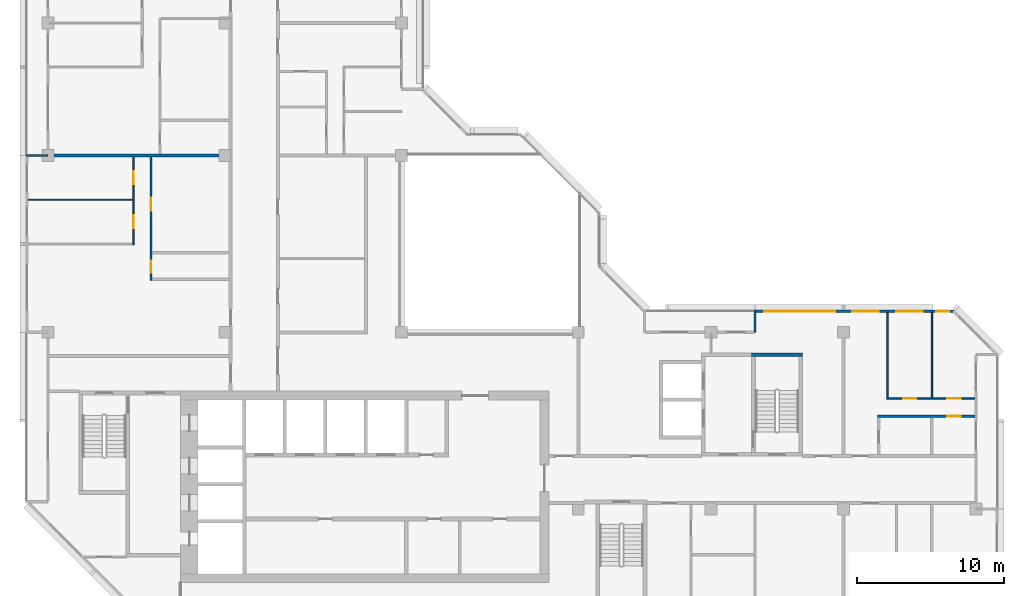
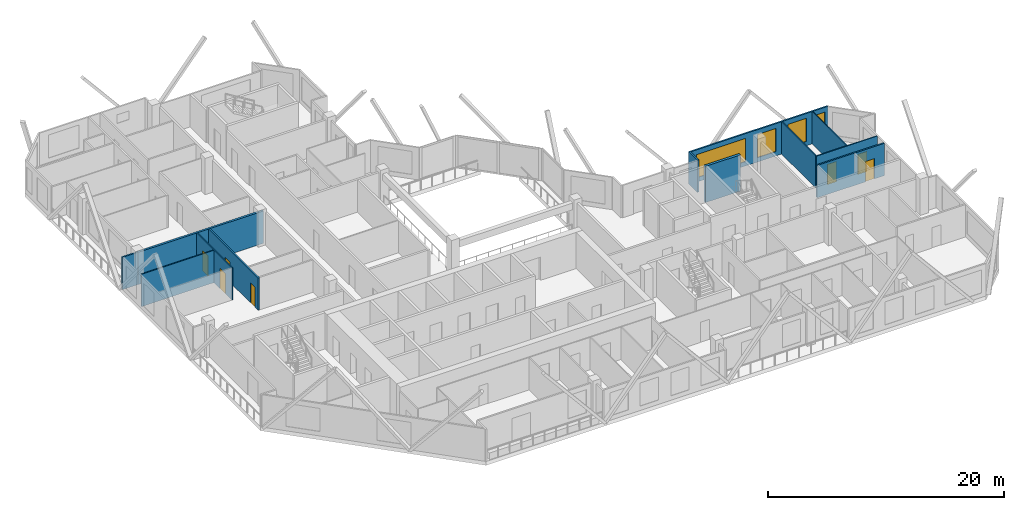
# One storey, part 8 of 13: 12 walls, 7 doors, 4 windows, 11 openings.
"""IFC4 building model written with IfcOpenShell, lengths in metres."""

from ifc_helpers import new_model, si_unit, direction, frame, frame_2d, origin, place, context, subcontext, project, spatial, rectangle, extrude, material, layer, layer_set, type_object, element, fill, save


model = new_model("IFC4")

# Units and contexts
model_context = context("Model", 3, precision=1e-05, world=origin(), true_north=direction((0.0, 1.0)))
body_context = subcontext(model_context, "Body", "Model", "MODEL_VIEW")
ifc_project = project(units=[si_unit("LENGTHUNIT", "METRE"), si_unit("AREAUNIT", "SQUARE_METRE"), si_unit("VOLUMEUNIT", "CUBIC_METRE"), si_unit("PLANEANGLEUNIT", "RADIAN"), si_unit("MASSUNIT", "GRAM", prefix="KILO")], contexts=[model_context])

# Site, building, storey
site_placement = place(None, origin())
site = spatial("IfcSite", under=ifc_project, at=site_placement, CompositionType="ELEMENT")
building_placement = place(site_placement, origin())
building = spatial("IfcBuilding", under=site, at=building_placement, Name="Chenar Terraces", CompositionType="ELEMENT")
storey_placement = place(building_placement, frame((0.0, 0.0, 280.89990234375)))
storey = spatial("IfcBuildingStorey", under=building, at=storey_placement, Name="L65", CompositionType="ELEMENT", Elevation=280.89990234375)

# Wall
ifc_material_1 = material(Name="Concrete C50/60", Category="concrete")
ifc_layer_1 = layer(ifc_material_1, 0.25)
ifc_layer_set_1 = layer_set([ifc_layer_1], Name="Concrete C50/60")
wall_type_1 = type_object("IfcWallType", Name="Core wall 250 Concrete C50/60", PredefinedType="SHEAR", material=ifc_layer_set_1)
wall_1_placement = place(storey_placement, frame((47.77490234375, 22.47509765625, 0.0), z_axis=(0.0, 0.0, 1.0), x_axis=(1.0, 0.0, 0.0)))
element("IfcWall", 1, at=wall_1_placement, inside=storey, type_object=wall_type_1, Name="Core wall ST3_N L65", PredefinedType="SHEAR", context=body_context, shape_type="SweptSolid", body=[
    extrude(rectangle(XDim=3.4501953125, YDim=0.25, at=frame_2d((1.72509765625, 0.0))), origin(), (0.0, 0.0, 1.0), 3.75),
])

# Wall, openings, windows
ifc_material_2 = material(Name="Aluminium framed glazing", Category="aluminium")
ifc_layer_2 = layer(ifc_material_2, 0.14990234375)
ifc_layer_set_2 = layer_set([ifc_layer_2], Name="Aluminium framed glazing")
wall_type_2 = type_object("IfcWallType", Name="Glazed flush facade wall 150", PredefinedType="SOLIDWALL", material=ifc_layer_set_2)
wall_2_placement = place(storey_placement, frame((61.5, 25.425048828125, 0.0), z_axis=(0.0, 0.0, 1.0), x_axis=(-1.0, 0.0, 0.0)))
wall_2 = element("IfcWall", 2, at=wall_2_placement, inside=storey, type_object=wall_type_2, Name="Glazed flush facade wall", PredefinedType="SOLIDWALL", context=body_context, shape_type="SweptSolid", body=[
    extrude(rectangle(XDim=13.425048828125, YDim=0.14990234375, at=frame_2d((6.71240234375, 0.0))), origin(), (0.0, 0.0, 1.0), 3.35009765625),
])
opening_1_placement = place(wall_2_placement, frame((0.300048828125, 0.0, 0.449951171875)))
opening_1 = element("IfcOpeningElement", 3, at=opening_1_placement, cuts=wall_2, Name="Opening W90x240", PredefinedType="OPENING", context=body_context, shape_type="SweptSolid", body=[
    extrude(rectangle(XDim=0.89990234375, YDim=2.39990234375, at=frame_2d((0.449951171875, 1.199951171875))), frame((0.0, 0.0849609375, 0.0), z_axis=(0.0, -1.0, 0.0), x_axis=(1.0, 0.0, 0.0)), (0.0, 0.0, 1.0), 0.169921875),
])
opening_2_placement = place(wall_2_placement, frame((2.10009765625, 0.0, 0.449951171875)))
opening_2 = element("IfcOpeningElement", 4, at=opening_2_placement, cuts=wall_2, Name="Opening W180x240", PredefinedType="OPENING", context=body_context, shape_type="SweptSolid", body=[
    extrude(rectangle(XDim=1.800048828125, YDim=2.39990234375, at=frame_2d((0.89990234375, 1.199951171875))), frame((0.0, 0.0849609375, 0.0), z_axis=(0.0, -1.0, 0.0), x_axis=(1.0, 0.0, 0.0)), (0.0, 0.0, 1.0), 0.169921875),
])
opening_3_placement = place(wall_2_placement, frame((5.10009765625, 0.0, 0.449951171875)))
opening_3 = element("IfcOpeningElement", 5, at=opening_3_placement, cuts=wall_2, Name="Opening W180x240", PredefinedType="OPENING", context=body_context, shape_type="SweptSolid", body=[
    extrude(rectangle(XDim=1.800048828125, YDim=2.39990234375, at=frame_2d((0.89990234375, 1.199951171875))), frame((0.0, 0.0849609375, 0.0), z_axis=(0.0, -1.0, 0.0), x_axis=(1.0, 0.0, 0.0)), (0.0, 0.0, 1.0), 0.169921875),
])
opening_4_placement = place(wall_2_placement, frame((8.0625, 0.0, 0.449951171875)))
opening_4 = element("IfcOpeningElement", 6, at=opening_4_placement, cuts=wall_2, Name="Opening W480x240", PredefinedType="OPENING", context=body_context, shape_type="SweptSolid", body=[
    extrude(rectangle(XDim=4.800048828125, YDim=2.39990234375, at=frame_2d((2.39990234375, 1.199951171875))), frame((0.0, 0.0849609375, 0.0), z_axis=(0.0, -1.0, 0.0), x_axis=(1.0, 0.0, 0.0)), (0.0, 0.0, 1.0), 0.169921875),
])
ifc_material_3 = material(Name="Low emissivity double glazing, aluminium frame", Category="aluminium")
window_type_1 = type_object("IfcWindowType", Name="Fixed light 1800 x 2400", PartitioningType="SINGLE_PANEL", PredefinedType="WINDOW", material=ifc_material_3)
window_1_placement = place(opening_2_placement, origin())
window_1 = element("IfcWindow", 7, at=window_1_placement, inside=storey, type_object=window_type_1, Name="Window", OverallHeight=2.39990234375, OverallWidth=1.800048828125, PartitioningType="SINGLE_PANEL", PredefinedType="WINDOW", context=body_context, shape_type="SweptSolid", body=[
    extrude(rectangle(XDim=1.800048828125, YDim=2.39990234375, at=frame_2d((0.89990234375, 1.199951171875))), frame((0.0, 0.030029296875, 0.0), z_axis=(0.0, -1.0, 0.0), x_axis=(1.0, 0.0, 0.0)), (0.0, 0.0, 1.0), 0.06005859375),
])
fill(opening_2, window_1)
window_2_placement = place(opening_3_placement, origin())
window_2 = element("IfcWindow", 8, at=window_2_placement, inside=storey, type_object=window_type_1, Name="Window", OverallHeight=2.39990234375, OverallWidth=1.800048828125, PartitioningType="SINGLE_PANEL", PredefinedType="WINDOW", context=body_context, shape_type="SweptSolid", body=[
    extrude(rectangle(XDim=1.800048828125, YDim=2.39990234375, at=frame_2d((0.89990234375, 1.199951171875))), frame((0.0, 0.030029296875, 0.0), z_axis=(0.0, -1.0, 0.0), x_axis=(1.0, 0.0, 0.0)), (0.0, 0.0, 1.0), 0.06005859375),
])
fill(opening_3, window_2)
ifc_material_4 = material(Name="Low emissivity double glazing, aluminium frame", Category="aluminium")
window_type_2 = type_object("IfcWindowType", Name="Fixed light 4800 x 2400", PartitioningType="SINGLE_PANEL", PredefinedType="WINDOW", material=ifc_material_4)
window_3_placement = place(opening_4_placement, origin())
window_3 = element("IfcWindow", 9, at=window_3_placement, inside=storey, type_object=window_type_2, Name="Window", OverallHeight=2.39990234375, OverallWidth=4.800048828125, PartitioningType="SINGLE_PANEL", PredefinedType="WINDOW", context=body_context, shape_type="SweptSolid", body=[
    extrude(rectangle(XDim=4.800048828125, YDim=2.39990234375, at=frame_2d((2.39990234375, 1.199951171875))), frame((0.0, 0.030029296875, 0.0), z_axis=(0.0, -1.0, 0.0), x_axis=(1.0, 0.0, 0.0)), (0.0, 0.0, 1.0), 0.06005859375),
])
fill(opening_4, window_3)
ifc_material_5 = material(Name="Low emissivity double glazing, aluminium frame", Category="aluminium")
window_type_3 = type_object("IfcWindowType", Name="Fixed light 900 x 2400", PartitioningType="SINGLE_PANEL", PredefinedType="WINDOW", material=ifc_material_5)
window_4_placement = place(opening_1_placement, origin())
window_4 = element("IfcWindow", 10, at=window_4_placement, inside=storey, type_object=window_type_3, Name="Window", OverallHeight=2.39990234375, OverallWidth=0.89990234375, PartitioningType="SINGLE_PANEL", PredefinedType="WINDOW", context=body_context, shape_type="SweptSolid", body=[
    extrude(rectangle(XDim=0.89990234375, YDim=2.39990234375, at=frame_2d((0.449951171875, 1.199951171875))), frame((0.0, 0.030029296875, 0.0), z_axis=(0.0, -1.0, 0.0), x_axis=(1.0, 0.0, 0.0)), (0.0, 0.0, 1.0), 0.06005859375),
])
fill(opening_1, window_4)

# Wall
ifc_material_6 = material(Name="Gypsum board on steel studs", Category="steel")
ifc_layer_3 = layer(ifc_material_6, 0.10009765625)
ifc_layer_set_3 = layer_set([ifc_layer_3], Name="Gypsum board on steel studs")
wall_type_3 = type_object("IfcWallType", Name="Gypsum partition 100", PredefinedType="PARTITIONING", material=ifc_layer_set_3)
wall_3_placement = place(storey_placement, frame((-1.35107421875, 33.0, 0.0), z_axis=(0.0, 0.0, 1.0), x_axis=(1.0, 0.0, 0.0)))
element("IfcWall", 11, at=wall_3_placement, inside=storey, type_object=wall_type_3, Name="Partition L65-001", PredefinedType="PARTITIONING", context=body_context, shape_type="SweptSolid", body=[
    extrude(rectangle(XDim=7.10107421875, YDim=0.10009765625, at=frame_2d((3.550537109375, 0.0))), origin(), (0.0, 0.0, 1.0), 3.35009765625),
])

# Wall, openings, doors
wall_4_placement = place(storey_placement, frame((5.800048828125, 29.949951171875, 0.0), z_axis=(0.0, 0.0, 1.0), x_axis=(0.0, 1.0, 0.0)))
wall_4 = element("IfcWall", 12, at=wall_4_placement, inside=storey, type_object=wall_type_3, Name="Partition L65-013", PredefinedType="PARTITIONING", context=body_context, shape_type="SweptSolid", body=[
    extrude(rectangle(XDim=5.949951171875, YDim=0.10009765625, at=frame_2d((2.97509765625, 0.0))), origin(), (0.0, 0.0, 1.0), 3.35009765625),
])
opening_5_placement = place(wall_4_placement, frame((1.10009765625, 0.0, 0.0)))
opening_5 = element("IfcOpeningElement", 13, at=opening_5_placement, cuts=wall_4, Name="Opening DL65-50", PredefinedType="OPENING", context=body_context, shape_type="SweptSolid", body=[
    extrude(rectangle(XDim=0.89990234375, YDim=2.10009765625, at=frame_2d((0.449951171875, 1.050048828125))), frame((0.0, 0.06005859375, 0.0), z_axis=(0.0, -1.0, 0.0), x_axis=(1.0, 0.0, 0.0)), (0.0, 0.0, 1.0), 0.1201171875),
])
opening_6_placement = place(wall_4_placement, frame((4.10009765625, 0.0, 0.0)))
opening_6 = element("IfcOpeningElement", 14, at=opening_6_placement, cuts=wall_4, Name="Opening DL65-51", PredefinedType="OPENING", context=body_context, shape_type="SweptSolid", body=[
    extrude(rectangle(XDim=0.89990234375, YDim=2.10009765625, at=frame_2d((0.449951171875, 1.050048828125))), frame((0.0, 0.06005859375, 0.0), z_axis=(0.0, -1.0, 0.0), x_axis=(1.0, 0.0, 0.0)), (0.0, 0.0, 1.0), 0.1201171875),
])
ifc_material_7 = material(Name="Veneered timber door leaf", Category="wood")
door_type_1 = type_object("IfcDoorType", Name="Door 900 x 2100", OperationType="SINGLE_SWING_LEFT", PredefinedType="DOOR", material=ifc_material_7)
door_1_placement = place(opening_5_placement, origin())
door_1 = element("IfcDoor", 15, at=door_1_placement, inside=storey, type_object=door_type_1, Name="Door DL65-50", OperationType="SINGLE_SWING_LEFT", OverallHeight=2.10009765625, OverallWidth=0.89990234375, PredefinedType="DOOR", context=body_context, shape_type="SweptSolid", body=[
    extrude(rectangle(XDim=0.89990234375, YDim=2.10009765625, at=frame_2d((0.449951171875, 1.050048828125))), frame((0.0, 0.02490234375, 0.0), z_axis=(0.0, -1.0, 0.0), x_axis=(1.0, 0.0, 0.0)), (0.0, 0.0, 1.0), 0.050048828125),
])
fill(opening_5, door_1)
door_2_placement = place(opening_6_placement, origin())
door_2 = element("IfcDoor", 16, at=door_2_placement, inside=storey, type_object=door_type_1, Name="Door DL65-51", OperationType="SINGLE_SWING_RIGHT", OverallHeight=2.10009765625, OverallWidth=0.89990234375, PredefinedType="DOOR", context=body_context, shape_type="SweptSolid", body=[
    extrude(rectangle(XDim=0.89990234375, YDim=2.10009765625, at=frame_2d((0.449951171875, 1.050048828125))), frame((0.0, 0.02490234375, 0.0), z_axis=(0.0, -1.0, 0.0), x_axis=(1.0, 0.0, 0.0)), (0.0, 0.0, 1.0), 0.050048828125),
])
fill(opening_6, door_2)

wall_5_placement = place(storey_placement, frame((56.949951171875, 19.5, 0.0), z_axis=(0.0, 0.0, 1.0), x_axis=(1.0, 0.0, 0.0)))
wall_5 = element("IfcWall", 17, at=wall_5_placement, inside=storey, type_object=wall_type_3, Name="Partition L65-068", PredefinedType="PARTITIONING", context=body_context, shape_type="SweptSolid", body=[
    extrude(rectangle(XDim=5.97607421875, YDim=0.10009765625, at=frame_2d((2.988037109375, 0.0))), origin(), (0.0, 0.0, 1.0), 3.35009765625),
])
opening_7_placement = place(wall_5_placement, frame((1.10009765625, 0.0, 0.0)))
opening_7 = element("IfcOpeningElement", 18, at=opening_7_placement, cuts=wall_5, Name="Opening DL65-5", PredefinedType="OPENING", context=body_context, shape_type="SweptSolid", body=[
    extrude(rectangle(XDim=0.89990234375, YDim=2.10009765625, at=frame_2d((0.449951171875, 1.050048828125))), frame((0.0, 0.06005859375, 0.0), z_axis=(0.0, -1.0, 0.0), x_axis=(1.0, 0.0, 0.0)), (0.0, 0.0, 1.0), 0.1201171875),
])
opening_8_placement = place(wall_5_placement, frame((4.10009765625, 0.0, 0.0)))
opening_8 = element("IfcOpeningElement", 19, at=opening_8_placement, cuts=wall_5, Name="Opening DL65-6", PredefinedType="OPENING", context=body_context, shape_type="SweptSolid", body=[
    extrude(rectangle(XDim=0.89990234375, YDim=2.10009765625, at=frame_2d((0.449951171875, 1.050048828125))), frame((0.0, 0.06005859375, 0.0), z_axis=(0.0, -1.0, 0.0), x_axis=(1.0, 0.0, 0.0)), (0.0, 0.0, 1.0), 0.1201171875),
])
door_3_placement = place(opening_7_placement, origin())
door_3 = element("IfcDoor", 20, at=door_3_placement, inside=storey, type_object=door_type_1, Name="Door DL65-5", OperationType="SINGLE_SWING_LEFT", OverallHeight=2.10009765625, OverallWidth=0.89990234375, PredefinedType="DOOR", context=body_context, shape_type="SweptSolid", body=[
    extrude(rectangle(XDim=0.89990234375, YDim=2.10009765625, at=frame_2d((0.449951171875, 1.050048828125))), frame((0.0, 0.02490234375, 0.0), z_axis=(0.0, -1.0, 0.0), x_axis=(1.0, 0.0, 0.0)), (0.0, 0.0, 1.0), 0.050048828125),
])
fill(opening_7, door_3)
door_4_placement = place(opening_8_placement, origin())
door_4 = element("IfcDoor", 21, at=door_4_placement, inside=storey, type_object=door_type_1, Name="Door DL65-6", OperationType="SINGLE_SWING_LEFT", OverallHeight=2.10009765625, OverallWidth=0.89990234375, PredefinedType="DOOR", context=body_context, shape_type="SweptSolid", body=[
    extrude(rectangle(XDim=0.89990234375, YDim=2.10009765625, at=frame_2d((0.449951171875, 1.050048828125))), frame((0.0, 0.02490234375, 0.0), z_axis=(0.0, -1.0, 0.0), x_axis=(1.0, 0.0, 0.0)), (0.0, 0.0, 1.0), 0.050048828125),
])
fill(opening_8, door_4)

# Walls
wall_6_placement = place(storey_placement, frame((57.0, 19.550048828125, 0.0), z_axis=(0.0, 0.0, 1.0), x_axis=(0.0, 1.0, 0.0)))
element("IfcWall", 22, at=wall_6_placement, inside=storey, type_object=wall_type_3, Name="Partition L65-070", PredefinedType="PARTITIONING", context=body_context, shape_type="SweptSolid", body=[
    extrude(rectangle(XDim=5.800048828125, YDim=0.10009765625, at=frame_2d((2.89990234375, 0.0))), origin(), (0.0, 0.0, 1.0), 3.35009765625),
])
wall_7_placement = place(storey_placement, frame((60.0, 19.550048828125, 0.0), z_axis=(0.0, 0.0, 1.0), x_axis=(0.0, 1.0, 0.0)))
element("IfcWall", 23, at=wall_7_placement, inside=storey, type_object=wall_type_3, Name="Partition L65-075", PredefinedType="PARTITIONING", context=body_context, shape_type="SweptSolid", body=[
    extrude(rectangle(XDim=5.801025390625, YDim=0.10009765625, at=frame_2d((2.900390625, 0.0))), origin(), (0.0, 0.0, 1.0), 3.35009765625),
])
ifc_material_8 = material(Name="Terracotta cladding on insulated backing", Category="masonry")
ifc_layer_4 = layer(ifc_material_8, 0.14990234375)
ifc_layer_set_4 = layer_set([ifc_layer_4], Name="Terracotta cladding on insulated backing")
wall_type_4 = type_object("IfcWallType", Name="Loggia return wall 150", PredefinedType="SOLIDWALL", material=ifc_layer_set_4)
for number, where, z_axis, x_axis, name in (
    (24, (48.0, 25.5, 0.0), (0.0, 0.0, 1.0), (0.0, -1.0, 0.0), "Loggia return wall"),
    (25, (-1.5, 36.0, 0.0), (0.0, 0.0, 1.0), (1.0, 0.0, 0.0), "Loggia return wall"),
):
    element("IfcWall", number, at=place(storey_placement, frame(where, z_axis=z_axis, x_axis=x_axis)), inside=storey, type_object=wall_type_4, Name=name, PredefinedType="SOLIDWALL", context=body_context, shape_type="SweptSolid", body=[
        extrude(rectangle(XDim=1.5, YDim=0.14990234375, at=frame_2d((0.75, 0.0))), origin(), (0.0, 0.0, 1.0), 3.35009765625),
    ])
ifc_material_9 = material(Name="Twin gypsum board on steel studs with mineral wool", Category="steel")
ifc_layer_5 = layer(ifc_material_9, 0.199951171875)
ifc_layer_set_5 = layer_set([ifc_layer_5], Name="Twin gypsum board on steel studs with mineral wool")
wall_type_5 = type_object("IfcWallType", Name="Unit demising wall 200", PredefinedType="PARTITIONING", material=ifc_layer_set_5)
wall_8_placement = place(storey_placement, frame((0.0, 36.0, 0.0), z_axis=(0.0, 0.0, 1.0), x_axis=(1.0, 0.0, 0.0)))
element("IfcWall", 26, at=wall_8_placement, inside=storey, type_object=wall_type_5, Name="Partition L65-004", PredefinedType="PARTITIONING", context=body_context, shape_type="SweptSolid", body=[
    extrude(rectangle(XDim=12.300048828125, YDim=0.199951171875, at=frame_2d((6.14990234375, 0.0))), origin(), (0.0, 0.0, 1.0), 3.35009765625),
])

# Wall, openings, doors
ifc_material_10 = material(Name="Moisture-resistant gypsum board on steel studs", Category="steel")
ifc_layer_6 = layer(ifc_material_10, 0.14990234375)
ifc_layer_set_6 = layer_set([ifc_layer_6], Name="Moisture-resistant gypsum board on steel studs")
wall_type_6 = type_object("IfcWallType", Name="Wet-room partition 150", PredefinedType="PARTITIONING", material=ifc_layer_set_6)
wall_9_placement = place(storey_placement, frame((7.0, 27.52490234375, 0.0), z_axis=(0.0, 0.0, 1.0), x_axis=(0.0, 1.0, 0.0)))
wall_9 = element("IfcWall", 27, at=wall_9_placement, inside=storey, type_object=wall_type_6, Name="Partition L65-015", PredefinedType="PARTITIONING", context=body_context, shape_type="SweptSolid", body=[
    extrude(rectangle(XDim=8.375, YDim=0.14990234375, at=frame_2d((4.1875, 0.0))), origin(), (0.0, 0.0, 1.0), 3.35009765625),
])
opening_9_placement = place(wall_9_placement, frame((0.52490234375, 0.0, 0.0)))
opening_9 = element("IfcOpeningElement", 28, at=opening_9_placement, cuts=wall_9, Name="Opening DL65-49", PredefinedType="OPENING", context=body_context, shape_type="SweptSolid", body=[
    extrude(rectangle(XDim=0.800048828125, YDim=2.10009765625, at=frame_2d((0.39990234375, 1.050048828125))), frame((0.0, 0.0849609375, 0.0), z_axis=(0.0, -1.0, 0.0), x_axis=(1.0, 0.0, 0.0)), (0.0, 0.0, 1.0), 0.169921875),
])
opening_10_placement = place(wall_9_placement, frame((4.72509765625, 0.0, 0.0)))
opening_10 = element("IfcOpeningElement", 29, at=opening_10_placement, cuts=wall_9, Name="Opening DL65-52", PredefinedType="OPENING", context=body_context, shape_type="SweptSolid", body=[
    extrude(rectangle(XDim=0.89990234375, YDim=2.10009765625, at=frame_2d((0.449951171875, 1.050048828125))), frame((0.0, 0.0849609375, 0.0), z_axis=(0.0, -1.0, 0.0), x_axis=(1.0, 0.0, 0.0)), (0.0, 0.0, 1.0), 0.169921875),
])
ifc_material_11 = material(Name="Veneered timber door leaf", Category="wood")
door_type_2 = type_object("IfcDoorType", Name="Door 800 x 2100", OperationType="SINGLE_SWING_LEFT", PredefinedType="DOOR", material=ifc_material_11)
door_5_placement = place(opening_9_placement, frame((0.800048828125, 0.0, 0.0), z_axis=(0.0, 0.0, 1.0), x_axis=(-1.0, 0.0, 0.0)))
door_5 = element("IfcDoor", 30, at=door_5_placement, inside=storey, type_object=door_type_2, Name="Door DL65-49", OperationType="SINGLE_SWING_RIGHT", OverallHeight=2.10009765625, OverallWidth=0.800048828125, PredefinedType="DOOR", context=body_context, shape_type="SweptSolid", body=[
    extrude(rectangle(XDim=0.800048828125, YDim=2.10009765625, at=frame_2d((0.39990234375, 1.050048828125))), frame((0.0, 0.02490234375, 0.0), z_axis=(0.0, -1.0, 0.0), x_axis=(1.0, 0.0, 0.0)), (0.0, 0.0, 1.0), 0.050048828125),
])
fill(opening_9, door_5)
door_6_placement = place(opening_10_placement, frame((0.89990234375, 0.0, 0.0), z_axis=(0.0, 0.0, 1.0), x_axis=(-1.0, 0.0, 0.0)))
door_6 = element("IfcDoor", 31, at=door_6_placement, inside=storey, type_object=door_type_1, Name="Door DL65-52", OperationType="SINGLE_SWING_RIGHT", OverallHeight=2.10009765625, OverallWidth=0.89990234375, PredefinedType="DOOR", context=body_context, shape_type="SweptSolid", body=[
    extrude(rectangle(XDim=0.89990234375, YDim=2.10009765625, at=frame_2d((0.449951171875, 1.050048828125))), frame((0.0, 0.02490234375, 0.0), z_axis=(0.0, -1.0, 0.0), x_axis=(1.0, 0.0, 0.0)), (0.0, 0.0, 1.0), 0.050048828125),
])
fill(opening_10, door_6)

# Wall, opening, door
wall_10_placement = place(storey_placement, frame((56.324951171875, 18.300048828125, 0.0), z_axis=(0.0, 0.0, 1.0), x_axis=(1.0, 0.0, 0.0)))
wall_10 = element("IfcWall", 32, at=wall_10_placement, inside=storey, type_object=wall_type_6, Name="Partition L65-066", PredefinedType="PARTITIONING", context=body_context, shape_type="SweptSolid", body=[
    extrude(rectangle(XDim=6.60107421875, YDim=0.14990234375, at=frame_2d((3.300537109375, 0.0))), origin(), (0.0, 0.0, 1.0), 3.35009765625),
])
opening_11_placement = place(wall_10_placement, frame((4.72509765625, 0.0, 0.0)))
opening_11 = element("IfcOpeningElement", 33, at=opening_11_placement, cuts=wall_10, Name="Opening DL65-7", PredefinedType="OPENING", context=body_context, shape_type="SweptSolid", body=[
    extrude(rectangle(XDim=0.89990234375, YDim=2.10009765625, at=frame_2d((0.449951171875, 1.050048828125))), frame((0.0, 0.0849609375, 0.0), z_axis=(0.0, -1.0, 0.0), x_axis=(1.0, 0.0, 0.0)), (0.0, 0.0, 1.0), 0.169921875),
])
door_7_placement = place(opening_11_placement, frame((0.89990234375, 0.0, 0.0), z_axis=(0.0, 0.0, 1.0), x_axis=(-1.0, 0.0, 0.0)))
door_7 = element("IfcDoor", 34, at=door_7_placement, inside=storey, type_object=door_type_1, Name="Door DL65-7", OperationType="SINGLE_SWING_RIGHT", OverallHeight=2.10009765625, OverallWidth=0.89990234375, PredefinedType="DOOR", context=body_context, shape_type="SweptSolid", body=[
    extrude(rectangle(XDim=0.89990234375, YDim=2.10009765625, at=frame_2d((0.449951171875, 1.050048828125))), frame((0.0, 0.02490234375, 0.0), z_axis=(0.0, -1.0, 0.0), x_axis=(1.0, 0.0, 0.0)), (0.0, 0.0, 1.0), 0.050048828125),
])
fill(opening_11, door_7)

save(model, "model.ifc")
